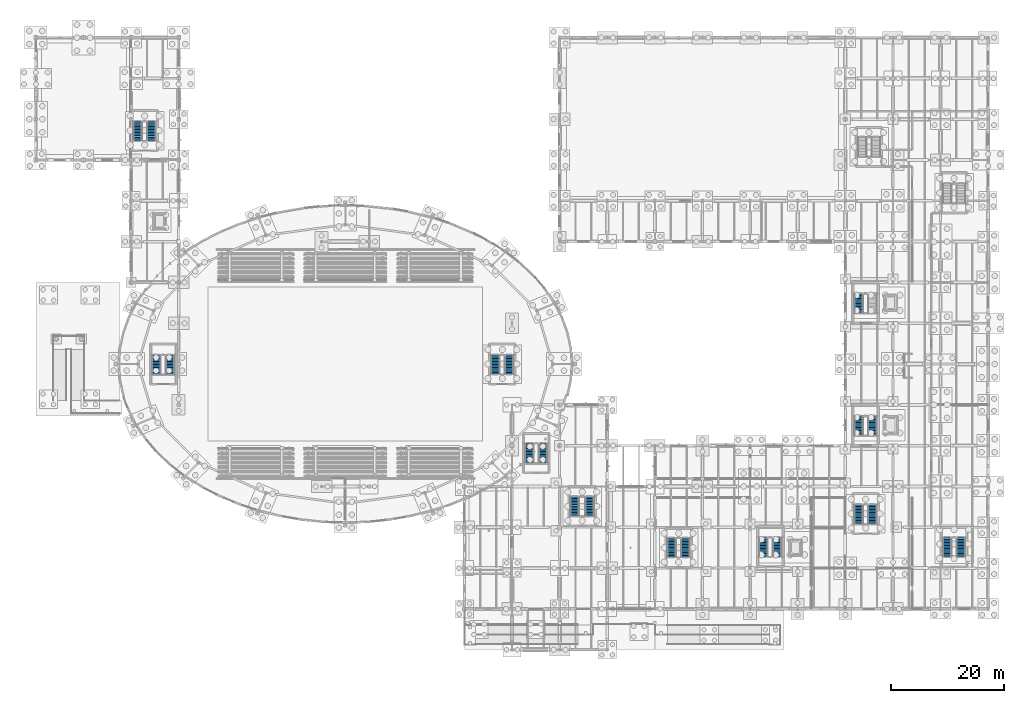
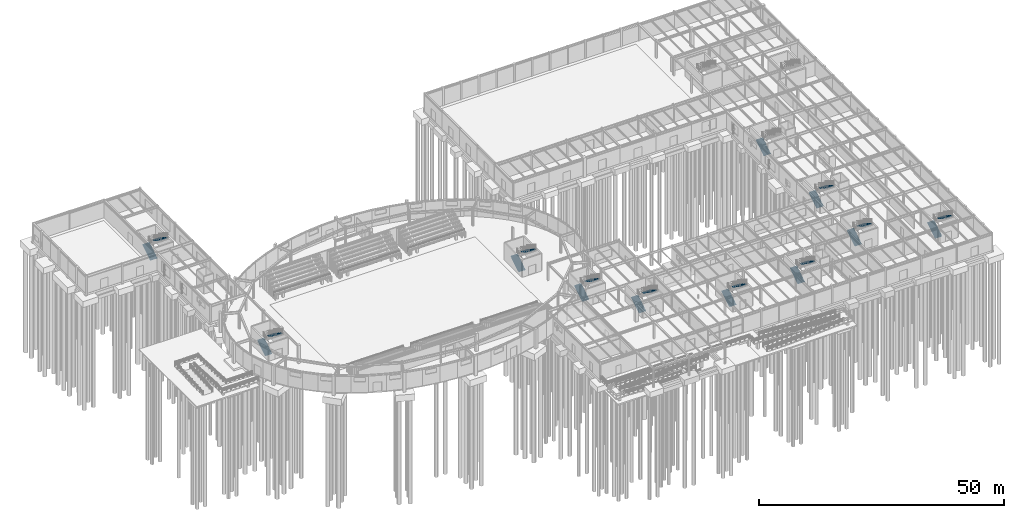
# One storey, part 66 of 93: 21 stair flights, 11 elements without a shape of their own.
"""IFC4 building model written with IfcOpenShell, lengths in metres."""

from ifc_helpers import new_model, si_unit, derived_unit, direction, frame, origin, place, context, subcontext, project, spatial, polyline, outline, extrude, material, type_object, element, aggregate, save


model = new_model("IFC4")

# Units and contexts
model_context = context("Model", 3, precision=1e-05, world=origin(), true_north=direction((0.0, 1.0)))
body_context = subcontext(model_context, "Body", "Model", "MODEL_VIEW")
ifc_project = project(units=[si_unit("LENGTHUNIT", "METRE"), si_unit("AREAUNIT", "SQUARE_METRE"), si_unit("VOLUMEUNIT", "CUBIC_METRE"), si_unit("PLANEANGLEUNIT", "RADIAN"), si_unit("MASSUNIT", "GRAM", prefix="KILO"), derived_unit("THERMALTRANSMITTANCEUNIT", [(si_unit("MASSUNIT", "GRAM", prefix="KILO"), 1), (si_unit("TIMEUNIT", "SECOND"), -3), (si_unit("THERMODYNAMICTEMPERATUREUNIT", "KELVIN"), -1)])], contexts=[model_context])

# Site, building, storey
site_placement = place(None, origin())
site = spatial("IfcSite", under=ifc_project, at=site_placement, CompositionType="ELEMENT")
building_placement = place(site_placement, origin())
building = spatial("IfcBuilding", under=site, at=building_placement, Name="Kharveza Railside Sports Centre", CompositionType="ELEMENT")
storey_placement = place(building_placement, origin())
storey = spatial("IfcBuildingStorey", under=building, at=storey_placement, Name="L00", CompositionType="ELEMENT", Elevation=0.0)

# Stair, stair flights
ifc_material_1 = material(Name="Concrete C35/45", Category="concrete")
stair_type_1 = type_object("IfcStairType", Name="ST-A45", PredefinedType="TWO_STRAIGHT_RUN_STAIR", material=ifc_material_1)
stair_1_placement = place(storey_placement, origin())
stair_1 = element("IfcStair", 1, at=stair_1_placement, inside=storey, type_object=stair_type_1, Name="STR-ST1-L00", PredefinedType="TWO_STRAIGHT_RUN_STAIR")
stair_flight_type_1 = type_object("IfcStairFlightType", Name="SF-A13", PredefinedType="STRAIGHT", material=ifc_material_1)
stair_flight_1_placement = place(storey_placement, frame((145.179931640625, 37.860107421875, 0.0), z_axis=(0.0, 0.0, 1.0), x_axis=(0.0, 1.0, 0.0)))
stair_flight_1 = element("IfcStairFlight", 2, at=stair_flight_1_placement, type_object=stair_flight_type_1, Name="STR-ST1-L00-FL1", NumberOfRisers=13, NumberOfTreads=12, PredefinedType="STRAIGHT", RiserHeight=0.173077, TreadLength=0.275, context=body_context, shape_type="SweptSolid", body=[
    extrude(outline(polyline([(0.0, 0.0), (0.0, 0.173095703125), (0.27490234375, 0.173095703125), (0.27490234375, 0.34619140625), (0.550048828125, 0.34619140625), (0.550048828125, 0.519287109375), (0.824951171875, 0.519287109375), (0.824951171875, 0.6923828125), (1.10009765625, 0.6923828125), (1.10009765625, 0.865478515625), (1.375, 0.865478515625), (1.375, 1.03857421875), (1.64990234375, 1.03857421875), (1.64990234375, 1.21142578125), (1.925048828125, 1.21142578125), (1.925048828125, 1.384521484375), (2.199951171875, 1.384521484375), (2.199951171875, 1.5576171875), (2.47509765625, 1.5576171875), (2.47509765625, 1.730712890625), (2.75, 1.730712890625), (2.75, 1.90380859375), (3.02490234375, 1.90380859375), (3.02490234375, 2.076904296875), (3.300048828125, 2.076904296875), (3.300048828125, 2.25), (3.300048828125, 1.887939453125), (0.30029296875, 0.0), (0.0, 0.0)])), frame((0.0, 0.800048828125, 0.0), z_axis=(0.0, -1.0, 0.0), x_axis=(1.0, 0.0, 0.0)), (0.0, 0.0, 1.0), 1.60009765625),
])
stair_flight_2_placement = place(storey_placement, frame((147.6201171875, 41.159912109375, 2.25), z_axis=(0.0, 0.0, 1.0), x_axis=(0.0, -1.0, 0.0)))
stair_flight_2 = element("IfcStairFlight", 3, at=stair_flight_2_placement, type_object=stair_flight_type_1, Name="STR-ST1-L00-FL2", NumberOfRisers=13, NumberOfTreads=12, PredefinedType="STRAIGHT", RiserHeight=0.173077, TreadLength=0.275, context=body_context, shape_type="SweptSolid", body=[
    extrude(outline(polyline([(0.0, 0.0), (0.0, 0.173095703125), (0.27490234375, 0.173095703125), (0.27490234375, 0.34619140625), (0.550048828125, 0.34619140625), (0.550048828125, 0.519287109375), (0.824951171875, 0.519287109375), (0.824951171875, 0.6923828125), (1.10009765625, 0.6923828125), (1.10009765625, 0.865478515625), (1.375, 0.865478515625), (1.375, 1.03857421875), (1.64990234375, 1.03857421875), (1.64990234375, 1.21142578125), (1.925048828125, 1.21142578125), (1.925048828125, 1.384521484375), (2.199951171875, 1.384521484375), (2.199951171875, 1.5576171875), (2.47509765625, 1.5576171875), (2.47509765625, 1.730712890625), (2.75, 1.730712890625), (2.75, 1.90380859375), (3.02490234375, 1.90380859375), (3.02490234375, 2.076904296875), (3.300048828125, 2.076904296875), (3.300048828125, 2.25), (3.300048828125, 1.887939453125), (0.30029296875, 0.0), (0.0, 0.0)])), frame((0.0, 0.800048828125, 0.0), z_axis=(0.0, -1.0, 0.0), x_axis=(1.0, 0.0, 0.0)), (0.0, 0.0, 1.0), 1.60009765625),
])
aggregate(stair_1, [stair_flight_1, stair_flight_2])

# Stair, stair flight
stair_2_placement = place(storey_placement, origin())
stair_2 = element("IfcStair", 4, at=stair_2_placement, inside=storey, type_object=stair_type_1, Name="STR-ST2-L00", PredefinedType="TWO_STRAIGHT_RUN_STAIR")
stair_flight_3_placement = place(storey_placement, frame((145.179931640625, 59.4599609375, 0.0), z_axis=(0.0, 0.0, 1.0), x_axis=(0.0, 1.0, 0.0)))
stair_flight_3 = element("IfcStairFlight", 5, at=stair_flight_3_placement, type_object=stair_flight_type_1, Name="STR-ST2-L00-FL1", NumberOfRisers=13, NumberOfTreads=12, PredefinedType="STRAIGHT", RiserHeight=0.173077, TreadLength=0.275, context=body_context, shape_type="SweptSolid", body=[
    extrude(outline(polyline([(0.0, 0.0), (0.0, 0.173095703125), (0.27490234375, 0.173095703125), (0.27490234375, 0.34619140625), (0.550048828125, 0.34619140625), (0.550048828125, 0.519287109375), (0.824951171875, 0.519287109375), (0.824951171875, 0.6923828125), (1.10009765625, 0.6923828125), (1.10009765625, 0.865478515625), (1.375, 0.865478515625), (1.375, 1.03857421875), (1.64990234375, 1.03857421875), (1.64990234375, 1.21142578125), (1.925048828125, 1.21142578125), (1.925048828125, 1.384521484375), (2.199951171875, 1.384521484375), (2.199951171875, 1.5576171875), (2.47509765625, 1.5576171875), (2.47509765625, 1.730712890625), (2.75, 1.730712890625), (2.75, 1.90380859375), (3.02490234375, 1.90380859375), (3.02490234375, 2.076904296875), (3.300048828125, 2.076904296875), (3.300048828125, 2.25), (3.300048828125, 1.887939453125), (0.30029296875, 0.0), (0.0, 0.0)])), frame((0.0, 0.800048828125, 0.0), z_axis=(0.0, -1.0, 0.0), x_axis=(1.0, 0.0, 0.0)), (0.0, 0.0, 1.0), 1.60009765625),
])
aggregate(stair_2, [stair_flight_3])

# Stair, stair flights
stair_3_placement = place(storey_placement, origin())
stair_3 = element("IfcStair", 6, at=stair_3_placement, inside=storey, type_object=stair_type_1, Name="STR-ST3-L00", PredefinedType="TWO_STRAIGHT_RUN_STAIR")
stair_flight_4_placement = place(storey_placement, frame((128.3798828125, 16.4599609375, 0.0), z_axis=(0.0, 0.0, 1.0), x_axis=(0.0, 1.0, 0.0)))
stair_flight_4 = element("IfcStairFlight", 7, at=stair_flight_4_placement, type_object=stair_flight_type_1, Name="STR-ST3-L00-FL1", NumberOfRisers=13, NumberOfTreads=12, PredefinedType="STRAIGHT", RiserHeight=0.173077, TreadLength=0.275, context=body_context, shape_type="SweptSolid", body=[
    extrude(outline(polyline([(0.0, 0.0), (0.0, 0.173095703125), (0.27490234375, 0.173095703125), (0.27490234375, 0.34619140625), (0.550048828125, 0.34619140625), (0.550048828125, 0.519287109375), (0.824951171875, 0.519287109375), (0.824951171875, 0.6923828125), (1.10009765625, 0.6923828125), (1.10009765625, 0.865478515625), (1.375, 0.865478515625), (1.375, 1.03857421875), (1.64990234375, 1.03857421875), (1.64990234375, 1.21142578125), (1.925048828125, 1.21142578125), (1.925048828125, 1.384521484375), (2.199951171875, 1.384521484375), (2.199951171875, 1.5576171875), (2.47509765625, 1.5576171875), (2.47509765625, 1.730712890625), (2.75, 1.730712890625), (2.75, 1.90380859375), (3.02490234375, 1.90380859375), (3.02490234375, 2.076904296875), (3.300048828125, 2.076904296875), (3.300048828125, 2.25), (3.300048828125, 1.887939453125), (0.30029296875, 0.0), (0.0, 0.0)])), frame((0.0, 0.800048828125, 0.0), z_axis=(0.0, -1.0, 0.0), x_axis=(1.0, 0.0, 0.0)), (0.0, 0.0, 1.0), 1.60009765625),
])
stair_flight_5_placement = place(storey_placement, frame((130.820068359375, 19.760009765625, 2.25), z_axis=(0.0, 0.0, 1.0), x_axis=(0.0, -1.0, 0.0)))
stair_flight_5 = element("IfcStairFlight", 8, at=stair_flight_5_placement, type_object=stair_flight_type_1, Name="STR-ST3-L00-FL2", NumberOfRisers=13, NumberOfTreads=12, PredefinedType="STRAIGHT", RiserHeight=0.173077, TreadLength=0.275, context=body_context, shape_type="SweptSolid", body=[
    extrude(outline(polyline([(0.0, 0.0), (0.0, 0.173095703125), (0.27490234375, 0.173095703125), (0.27490234375, 0.34619140625), (0.550048828125, 0.34619140625), (0.550048828125, 0.519287109375), (0.824951171875, 0.519287109375), (0.824951171875, 0.6923828125), (1.10009765625, 0.6923828125), (1.10009765625, 0.865478515625), (1.375, 0.865478515625), (1.375, 1.03857421875), (1.64990234375, 1.03857421875), (1.64990234375, 1.21142578125), (1.925048828125, 1.21142578125), (1.925048828125, 1.384521484375), (2.199951171875, 1.384521484375), (2.199951171875, 1.5576171875), (2.47509765625, 1.5576171875), (2.47509765625, 1.730712890625), (2.75, 1.730712890625), (2.75, 1.90380859375), (3.02490234375, 1.90380859375), (3.02490234375, 2.076904296875), (3.300048828125, 2.076904296875), (3.300048828125, 2.25), (3.300048828125, 1.887939453125), (0.30029296875, 0.0), (0.0, 0.0)])), frame((0.0, 0.800048828125, 0.0), z_axis=(0.0, -1.0, 0.0), x_axis=(1.0, 0.0, 0.0)), (0.0, 0.0, 1.0), 1.60009765625),
])
aggregate(stair_3, [stair_flight_4, stair_flight_5])

stair_4_placement = place(storey_placement, origin())
stair_4 = element("IfcStair", 9, at=stair_4_placement, inside=storey, type_object=stair_type_1, Name="STR-ST5-L00", PredefinedType="TWO_STRAIGHT_RUN_STAIR")
stair_flight_6_placement = place(storey_placement, frame((145.179931640625, 22.260009765625, 0.0), z_axis=(0.0, 0.0, 1.0), x_axis=(0.0, 1.0, 0.0)))
stair_flight_6 = element("IfcStairFlight", 10, at=stair_flight_6_placement, type_object=stair_flight_type_1, Name="STR-ST5-L00-FL1", NumberOfRisers=13, NumberOfTreads=12, PredefinedType="STRAIGHT", RiserHeight=0.173077, TreadLength=0.275, context=body_context, shape_type="SweptSolid", body=[
    extrude(outline(polyline([(0.0, 0.0), (0.0, 0.173095703125), (0.27490234375, 0.173095703125), (0.27490234375, 0.34619140625), (0.550048828125, 0.34619140625), (0.550048828125, 0.519287109375), (0.824951171875, 0.519287109375), (0.824951171875, 0.6923828125), (1.10009765625, 0.6923828125), (1.10009765625, 0.865478515625), (1.375, 0.865478515625), (1.375, 1.03857421875), (1.64990234375, 1.03857421875), (1.64990234375, 1.21142578125), (1.925048828125, 1.21142578125), (1.925048828125, 1.384521484375), (2.199951171875, 1.384521484375), (2.199951171875, 1.5576171875), (2.47509765625, 1.5576171875), (2.47509765625, 1.730712890625), (2.75, 1.730712890625), (2.75, 1.90380859375), (3.02490234375, 1.90380859375), (3.02490234375, 2.076904296875), (3.300048828125, 2.076904296875), (3.300048828125, 2.25), (3.300048828125, 1.887939453125), (0.30029296875, 0.0), (0.0, 0.0)])), frame((0.0, 0.800048828125, 0.0), z_axis=(0.0, -1.0, 0.0), x_axis=(1.0, 0.0, 0.0)), (0.0, 0.0, 1.0), 1.60009765625),
])
stair_flight_7_placement = place(storey_placement, frame((147.6201171875, 25.56005859375, 2.25), z_axis=(0.0, 0.0, 1.0), x_axis=(0.0, -1.0, 0.0)))
stair_flight_7 = element("IfcStairFlight", 11, at=stair_flight_7_placement, type_object=stair_flight_type_1, Name="STR-ST5-L00-FL2", NumberOfRisers=13, NumberOfTreads=12, PredefinedType="STRAIGHT", RiserHeight=0.173077, TreadLength=0.275, context=body_context, shape_type="SweptSolid", body=[
    extrude(outline(polyline([(0.0, 0.0), (0.0, 0.173095703125), (0.27490234375, 0.173095703125), (0.27490234375, 0.34619140625), (0.550048828125, 0.34619140625), (0.550048828125, 0.519287109375), (0.824951171875, 0.519287109375), (0.824951171875, 0.6923828125), (1.10009765625, 0.6923828125), (1.10009765625, 0.865478515625), (1.375, 0.865478515625), (1.375, 1.03857421875), (1.64990234375, 1.03857421875), (1.64990234375, 1.21142578125), (1.925048828125, 1.21142578125), (1.925048828125, 1.384521484375), (2.199951171875, 1.384521484375), (2.199951171875, 1.5576171875), (2.47509765625, 1.5576171875), (2.47509765625, 1.730712890625), (2.75, 1.730712890625), (2.75, 1.90380859375), (3.02490234375, 1.90380859375), (3.02490234375, 2.076904296875), (3.300048828125, 2.076904296875), (3.300048828125, 2.25), (3.300048828125, 1.887939453125), (0.30029296875, 0.0), (0.0, 0.0)])), frame((0.0, 0.800048828125, 0.0), z_axis=(0.0, -1.0, 0.0), x_axis=(1.0, 0.0, 0.0)), (0.0, 0.0, 1.0), 1.60009765625),
])
aggregate(stair_4, [stair_flight_6, stair_flight_7])

stair_5_placement = place(storey_placement, origin())
stair_5 = element("IfcStair", 12, at=stair_5_placement, inside=storey, type_object=stair_type_1, Name="STR-ST6-L00", PredefinedType="TWO_STRAIGHT_RUN_STAIR")
stair_flight_8_placement = place(storey_placement, frame((17.97998046875, 89.860107421875, 0.0), z_axis=(0.0, 0.0, 1.0), x_axis=(0.0, 1.0, 0.0)))
stair_flight_8 = element("IfcStairFlight", 13, at=stair_flight_8_placement, type_object=stair_flight_type_1, Name="STR-ST6-L00-FL1", NumberOfRisers=13, NumberOfTreads=12, PredefinedType="STRAIGHT", RiserHeight=0.173077, TreadLength=0.275, context=body_context, shape_type="SweptSolid", body=[
    extrude(outline(polyline([(0.0, 0.0), (0.0, 0.173095703125), (0.27490234375, 0.173095703125), (0.27490234375, 0.34619140625), (0.550048828125, 0.34619140625), (0.550048828125, 0.519287109375), (0.824951171875, 0.519287109375), (0.824951171875, 0.6923828125), (1.10009765625, 0.6923828125), (1.10009765625, 0.865478515625), (1.375, 0.865478515625), (1.375, 1.03857421875), (1.64990234375, 1.03857421875), (1.64990234375, 1.21142578125), (1.925048828125, 1.21142578125), (1.925048828125, 1.384521484375), (2.199951171875, 1.384521484375), (2.199951171875, 1.5576171875), (2.47509765625, 1.5576171875), (2.47509765625, 1.730712890625), (2.75, 1.730712890625), (2.75, 1.90380859375), (3.02490234375, 1.90380859375), (3.02490234375, 2.076904296875), (3.300048828125, 2.076904296875), (3.300048828125, 2.25), (3.300048828125, 1.887939453125), (0.30029296875, 0.0), (0.0, 0.0)])), frame((0.0, 0.800048828125, 0.0), z_axis=(0.0, -1.0, 0.0), x_axis=(1.0, 0.0, 0.0)), (0.0, 0.0, 1.0), 1.60009765625),
])
stair_flight_9_placement = place(storey_placement, frame((20.419921875, 93.159912109375, 2.25), z_axis=(0.0, 0.0, 1.0), x_axis=(0.0, -1.0, 0.0)))
stair_flight_9 = element("IfcStairFlight", 14, at=stair_flight_9_placement, type_object=stair_flight_type_1, Name="STR-ST6-L00-FL2", NumberOfRisers=13, NumberOfTreads=12, PredefinedType="STRAIGHT", RiserHeight=0.173077, TreadLength=0.275, context=body_context, shape_type="SweptSolid", body=[
    extrude(outline(polyline([(0.0, 0.0), (0.0, 0.173095703125), (0.27490234375, 0.173095703125), (0.27490234375, 0.34619140625), (0.550048828125, 0.34619140625), (0.550048828125, 0.519287109375), (0.824951171875, 0.519287109375), (0.824951171875, 0.6923828125), (1.10009765625, 0.6923828125), (1.10009765625, 0.865478515625), (1.375, 0.865478515625), (1.375, 1.03857421875), (1.64990234375, 1.03857421875), (1.64990234375, 1.21142578125), (1.925048828125, 1.21142578125), (1.925048828125, 1.384521484375), (2.199951171875, 1.384521484375), (2.199951171875, 1.5576171875), (2.47509765625, 1.5576171875), (2.47509765625, 1.730712890625), (2.75, 1.730712890625), (2.75, 1.90380859375), (3.02490234375, 1.90380859375), (3.02490234375, 2.076904296875), (3.300048828125, 2.076904296875), (3.300048828125, 2.25), (3.300048828125, 1.887939453125), (0.30029296875, 0.0), (0.0, 0.0)])), frame((0.0, 0.800048828125, 0.0), z_axis=(0.0, -1.0, 0.0), x_axis=(1.0, 0.0, 0.0)), (0.0, 0.0, 1.0), 1.60009765625),
])
aggregate(stair_5, [stair_flight_8, stair_flight_9])

stair_6_placement = place(storey_placement, origin())
stair_6 = element("IfcStair", 15, at=stair_6_placement, inside=storey, type_object=stair_type_1, Name="STR-ST7-L00", PredefinedType="TWO_STRAIGHT_RUN_STAIR")
stair_flight_10_placement = place(storey_placement, frame((21.280029296875, 48.659912109375, 0.0), z_axis=(0.0, 0.0, 1.0), x_axis=(0.0, 1.0, 0.0)))
stair_flight_10 = element("IfcStairFlight", 16, at=stair_flight_10_placement, type_object=stair_flight_type_1, Name="STR-ST7-L00-FL1", NumberOfRisers=13, NumberOfTreads=12, PredefinedType="STRAIGHT", RiserHeight=0.173077, TreadLength=0.275, context=body_context, shape_type="SweptSolid", body=[
    extrude(outline(polyline([(0.0, 0.0), (0.0, 0.173095703125), (0.27490234375, 0.173095703125), (0.27490234375, 0.34619140625), (0.550048828125, 0.34619140625), (0.550048828125, 0.519287109375), (0.824951171875, 0.519287109375), (0.824951171875, 0.6923828125), (1.10009765625, 0.6923828125), (1.10009765625, 0.865478515625), (1.375, 0.865478515625), (1.375, 1.03857421875), (1.64990234375, 1.03857421875), (1.64990234375, 1.21142578125), (1.925048828125, 1.21142578125), (1.925048828125, 1.384521484375), (2.199951171875, 1.384521484375), (2.199951171875, 1.5576171875), (2.47509765625, 1.5576171875), (2.47509765625, 1.730712890625), (2.75, 1.730712890625), (2.75, 1.90380859375), (3.02490234375, 1.90380859375), (3.02490234375, 2.076904296875), (3.300048828125, 2.076904296875), (3.300048828125, 2.25), (3.300048828125, 1.887939453125), (0.30029296875, 0.0), (0.0, 0.0)])), frame((0.0, 0.800048828125, 0.0), z_axis=(0.0, -1.0, 0.0), x_axis=(1.0, 0.0, 0.0)), (0.0, 0.0, 1.0), 1.60009765625),
])
stair_flight_11_placement = place(storey_placement, frame((23.719970703125, 51.9599609375, 2.25), z_axis=(0.0, 0.0, 1.0), x_axis=(0.0, -1.0, 0.0)))
stair_flight_11 = element("IfcStairFlight", 17, at=stair_flight_11_placement, type_object=stair_flight_type_1, Name="STR-ST7-L00-FL2", NumberOfRisers=13, NumberOfTreads=12, PredefinedType="STRAIGHT", RiserHeight=0.173077, TreadLength=0.275, context=body_context, shape_type="SweptSolid", body=[
    extrude(outline(polyline([(0.0, 0.0), (0.0, 0.173095703125), (0.27490234375, 0.173095703125), (0.27490234375, 0.34619140625), (0.550048828125, 0.34619140625), (0.550048828125, 0.519287109375), (0.824951171875, 0.519287109375), (0.824951171875, 0.6923828125), (1.10009765625, 0.6923828125), (1.10009765625, 0.865478515625), (1.375, 0.865478515625), (1.375, 1.03857421875), (1.64990234375, 1.03857421875), (1.64990234375, 1.21142578125), (1.925048828125, 1.21142578125), (1.925048828125, 1.384521484375), (2.199951171875, 1.384521484375), (2.199951171875, 1.5576171875), (2.47509765625, 1.5576171875), (2.47509765625, 1.730712890625), (2.75, 1.730712890625), (2.75, 1.90380859375), (3.02490234375, 1.90380859375), (3.02490234375, 2.076904296875), (3.300048828125, 2.076904296875), (3.300048828125, 2.25), (3.300048828125, 1.887939453125), (0.30029296875, 0.0), (0.0, 0.0)])), frame((0.0, 0.800048828125, 0.0), z_axis=(0.0, -1.0, 0.0), x_axis=(1.0, 0.0, 0.0)), (0.0, 0.0, 1.0), 1.60009765625),
])
aggregate(stair_6, [stair_flight_10, stair_flight_11])

stair_7_placement = place(storey_placement, origin())
stair_7 = element("IfcStair", 18, at=stair_7_placement, inside=storey, type_object=stair_type_1, Name="STR-ST8-L00", PredefinedType="TWO_STRAIGHT_RUN_STAIR")
stair_flight_12_placement = place(storey_placement, frame((81.080078125, 48.659912109375, 0.0), z_axis=(0.0, 0.0, 1.0), x_axis=(0.0, 1.0, 0.0)))
stair_flight_12 = element("IfcStairFlight", 19, at=stair_flight_12_placement, type_object=stair_flight_type_1, Name="STR-ST8-L00-FL1", NumberOfRisers=13, NumberOfTreads=12, PredefinedType="STRAIGHT", RiserHeight=0.173077, TreadLength=0.275, context=body_context, shape_type="SweptSolid", body=[
    extrude(outline(polyline([(0.0, 0.0), (0.0, 0.173095703125), (0.27490234375, 0.173095703125), (0.27490234375, 0.34619140625), (0.550048828125, 0.34619140625), (0.550048828125, 0.519287109375), (0.824951171875, 0.519287109375), (0.824951171875, 0.6923828125), (1.10009765625, 0.6923828125), (1.10009765625, 0.865478515625), (1.375, 0.865478515625), (1.375, 1.03857421875), (1.64990234375, 1.03857421875), (1.64990234375, 1.21142578125), (1.925048828125, 1.21142578125), (1.925048828125, 1.384521484375), (2.199951171875, 1.384521484375), (2.199951171875, 1.5576171875), (2.47509765625, 1.5576171875), (2.47509765625, 1.730712890625), (2.75, 1.730712890625), (2.75, 1.90380859375), (3.02490234375, 1.90380859375), (3.02490234375, 2.076904296875), (3.300048828125, 2.076904296875), (3.300048828125, 2.25), (3.300048828125, 1.887939453125), (0.30029296875, 0.0), (0.0, 0.0)])), frame((0.0, 0.800048828125, 0.0), z_axis=(0.0, -1.0, 0.0), x_axis=(1.0, 0.0, 0.0)), (0.0, 0.0, 1.0), 1.60009765625),
])
stair_flight_13_placement = place(storey_placement, frame((83.52001953125, 51.9599609375, 2.25), z_axis=(0.0, 0.0, 1.0), x_axis=(0.0, -1.0, 0.0)))
stair_flight_13 = element("IfcStairFlight", 20, at=stair_flight_13_placement, type_object=stair_flight_type_1, Name="STR-ST8-L00-FL2", NumberOfRisers=13, NumberOfTreads=12, PredefinedType="STRAIGHT", RiserHeight=0.173077, TreadLength=0.275, context=body_context, shape_type="SweptSolid", body=[
    extrude(outline(polyline([(0.0, 0.0), (0.0, 0.173095703125), (0.27490234375, 0.173095703125), (0.27490234375, 0.34619140625), (0.550048828125, 0.34619140625), (0.550048828125, 0.519287109375), (0.824951171875, 0.519287109375), (0.824951171875, 0.6923828125), (1.10009765625, 0.6923828125), (1.10009765625, 0.865478515625), (1.375, 0.865478515625), (1.375, 1.03857421875), (1.64990234375, 1.03857421875), (1.64990234375, 1.21142578125), (1.925048828125, 1.21142578125), (1.925048828125, 1.384521484375), (2.199951171875, 1.384521484375), (2.199951171875, 1.5576171875), (2.47509765625, 1.5576171875), (2.47509765625, 1.730712890625), (2.75, 1.730712890625), (2.75, 1.90380859375), (3.02490234375, 1.90380859375), (3.02490234375, 2.076904296875), (3.300048828125, 2.076904296875), (3.300048828125, 2.25), (3.300048828125, 1.887939453125), (0.30029296875, 0.0), (0.0, 0.0)])), frame((0.0, 0.800048828125, 0.0), z_axis=(0.0, -1.0, 0.0), x_axis=(1.0, 0.0, 0.0)), (0.0, 0.0, 1.0), 1.60009765625),
])
aggregate(stair_7, [stair_flight_12, stair_flight_13])

stair_8_placement = place(storey_placement, origin())
stair_8 = element("IfcStair", 21, at=stair_8_placement, inside=storey, type_object=stair_type_1, Name="STR-ST9-L00", PredefinedType="TWO_STRAIGHT_RUN_STAIR")
stair_flight_14_placement = place(storey_placement, frame((87.080078125, 33.06005859375, 0.0), z_axis=(0.0, 0.0, 1.0), x_axis=(0.0, 1.0, 0.0)))
stair_flight_14 = element("IfcStairFlight", 22, at=stair_flight_14_placement, type_object=stair_flight_type_1, Name="STR-ST9-L00-FL1", NumberOfRisers=13, NumberOfTreads=12, PredefinedType="STRAIGHT", RiserHeight=0.173077, TreadLength=0.275, context=body_context, shape_type="SweptSolid", body=[
    extrude(outline(polyline([(0.0, 0.0), (0.0, 0.173095703125), (0.27490234375, 0.173095703125), (0.27490234375, 0.34619140625), (0.550048828125, 0.34619140625), (0.550048828125, 0.519287109375), (0.824951171875, 0.519287109375), (0.824951171875, 0.6923828125), (1.10009765625, 0.6923828125), (1.10009765625, 0.865478515625), (1.375, 0.865478515625), (1.375, 1.03857421875), (1.64990234375, 1.03857421875), (1.64990234375, 1.21142578125), (1.925048828125, 1.21142578125), (1.925048828125, 1.384521484375), (2.199951171875, 1.384521484375), (2.199951171875, 1.5576171875), (2.47509765625, 1.5576171875), (2.47509765625, 1.730712890625), (2.75, 1.730712890625), (2.75, 1.90380859375), (3.02490234375, 1.90380859375), (3.02490234375, 2.076904296875), (3.300048828125, 2.076904296875), (3.300048828125, 2.25), (3.300048828125, 1.887939453125), (0.30029296875, 0.0), (0.0, 0.0)])), frame((0.0, 0.800048828125, 0.0), z_axis=(0.0, -1.0, 0.0), x_axis=(1.0, 0.0, 0.0)), (0.0, 0.0, 1.0), 1.60009765625),
])
stair_flight_15_placement = place(storey_placement, frame((89.52001953125, 36.360107421875, 2.25), z_axis=(0.0, 0.0, 1.0), x_axis=(0.0, -1.0, 0.0)))
stair_flight_15 = element("IfcStairFlight", 23, at=stair_flight_15_placement, type_object=stair_flight_type_1, Name="STR-ST9-L00-FL2", NumberOfRisers=13, NumberOfTreads=12, PredefinedType="STRAIGHT", RiserHeight=0.173077, TreadLength=0.275, context=body_context, shape_type="SweptSolid", body=[
    extrude(outline(polyline([(0.0, 0.0), (0.0, 0.173095703125), (0.27490234375, 0.173095703125), (0.27490234375, 0.34619140625), (0.550048828125, 0.34619140625), (0.550048828125, 0.519287109375), (0.824951171875, 0.519287109375), (0.824951171875, 0.6923828125), (1.10009765625, 0.6923828125), (1.10009765625, 0.865478515625), (1.375, 0.865478515625), (1.375, 1.03857421875), (1.64990234375, 1.03857421875), (1.64990234375, 1.21142578125), (1.925048828125, 1.21142578125), (1.925048828125, 1.384521484375), (2.199951171875, 1.384521484375), (2.199951171875, 1.5576171875), (2.47509765625, 1.5576171875), (2.47509765625, 1.730712890625), (2.75, 1.730712890625), (2.75, 1.90380859375), (3.02490234375, 1.90380859375), (3.02490234375, 2.076904296875), (3.300048828125, 2.076904296875), (3.300048828125, 2.25), (3.300048828125, 1.887939453125), (0.30029296875, 0.0), (0.0, 0.0)])), frame((0.0, 0.800048828125, 0.0), z_axis=(0.0, -1.0, 0.0), x_axis=(1.0, 0.0, 0.0)), (0.0, 0.0, 1.0), 1.60009765625),
])
aggregate(stair_8, [stair_flight_14, stair_flight_15])

stair_9_placement = place(storey_placement, origin())
stair_9 = element("IfcStair", 24, at=stair_9_placement, inside=storey, type_object=stair_type_1, Name="STR-ST11-L00", PredefinedType="TWO_STRAIGHT_RUN_STAIR")
stair_flight_16_placement = place(storey_placement, frame((160.780029296875, 16.4599609375, 0.0), z_axis=(0.0, 0.0, 1.0), x_axis=(0.0, 1.0, 0.0)))
stair_flight_16 = element("IfcStairFlight", 25, at=stair_flight_16_placement, type_object=stair_flight_type_1, Name="STR-ST11-L00-FL1", NumberOfRisers=13, NumberOfTreads=12, PredefinedType="STRAIGHT", RiserHeight=0.173077, TreadLength=0.275, context=body_context, shape_type="SweptSolid", body=[
    extrude(outline(polyline([(0.0, 0.0), (0.0, 0.173095703125), (0.27490234375, 0.173095703125), (0.27490234375, 0.34619140625), (0.550048828125, 0.34619140625), (0.550048828125, 0.519287109375), (0.824951171875, 0.519287109375), (0.824951171875, 0.6923828125), (1.10009765625, 0.6923828125), (1.10009765625, 0.865478515625), (1.375, 0.865478515625), (1.375, 1.03857421875), (1.64990234375, 1.03857421875), (1.64990234375, 1.21142578125), (1.925048828125, 1.21142578125), (1.925048828125, 1.384521484375), (2.199951171875, 1.384521484375), (2.199951171875, 1.5576171875), (2.47509765625, 1.5576171875), (2.47509765625, 1.730712890625), (2.75, 1.730712890625), (2.75, 1.90380859375), (3.02490234375, 1.90380859375), (3.02490234375, 2.076904296875), (3.300048828125, 2.076904296875), (3.300048828125, 2.25), (3.300048828125, 1.887939453125), (0.30029296875, 0.0), (0.0, 0.0)])), frame((0.0, 0.800048828125, 0.0), z_axis=(0.0, -1.0, 0.0), x_axis=(1.0, 0.0, 0.0)), (0.0, 0.0, 1.0), 1.60009765625),
])
stair_flight_17_placement = place(storey_placement, frame((163.219970703125, 19.760009765625, 2.25), z_axis=(0.0, 0.0, 1.0), x_axis=(0.0, -1.0, 0.0)))
stair_flight_17 = element("IfcStairFlight", 26, at=stair_flight_17_placement, type_object=stair_flight_type_1, Name="STR-ST11-L00-FL2", NumberOfRisers=13, NumberOfTreads=12, PredefinedType="STRAIGHT", RiserHeight=0.173077, TreadLength=0.275, context=body_context, shape_type="SweptSolid", body=[
    extrude(outline(polyline([(0.0, 0.0), (0.0, 0.173095703125), (0.27490234375, 0.173095703125), (0.27490234375, 0.34619140625), (0.550048828125, 0.34619140625), (0.550048828125, 0.519287109375), (0.824951171875, 0.519287109375), (0.824951171875, 0.6923828125), (1.10009765625, 0.6923828125), (1.10009765625, 0.865478515625), (1.375, 0.865478515625), (1.375, 1.03857421875), (1.64990234375, 1.03857421875), (1.64990234375, 1.21142578125), (1.925048828125, 1.21142578125), (1.925048828125, 1.384521484375), (2.199951171875, 1.384521484375), (2.199951171875, 1.5576171875), (2.47509765625, 1.5576171875), (2.47509765625, 1.730712890625), (2.75, 1.730712890625), (2.75, 1.90380859375), (3.02490234375, 1.90380859375), (3.02490234375, 2.076904296875), (3.300048828125, 2.076904296875), (3.300048828125, 2.25), (3.300048828125, 1.887939453125), (0.30029296875, 0.0), (0.0, 0.0)])), frame((0.0, 0.800048828125, 0.0), z_axis=(0.0, -1.0, 0.0), x_axis=(1.0, 0.0, 0.0)), (0.0, 0.0, 1.0), 1.60009765625),
])
aggregate(stair_9, [stair_flight_16, stair_flight_17])

stair_10_placement = place(storey_placement, origin())
stair_10 = element("IfcStair", 27, at=stair_10_placement, inside=storey, type_object=stair_type_1, Name="STR-ST12-L00", PredefinedType="TWO_STRAIGHT_RUN_STAIR")
stair_flight_18_placement = place(storey_placement, frame((112.179931640625, 16.360107421875, 0.0), z_axis=(0.0, 0.0, 1.0), x_axis=(0.0, 1.0, 0.0)))
stair_flight_18 = element("IfcStairFlight", 28, at=stair_flight_18_placement, type_object=stair_flight_type_1, Name="STR-ST12-L00-FL1", NumberOfRisers=13, NumberOfTreads=12, PredefinedType="STRAIGHT", RiserHeight=0.173077, TreadLength=0.275, context=body_context, shape_type="SweptSolid", body=[
    extrude(outline(polyline([(0.0, 0.0), (0.0, 0.173095703125), (0.27490234375, 0.173095703125), (0.27490234375, 0.34619140625), (0.550048828125, 0.34619140625), (0.550048828125, 0.519287109375), (0.824951171875, 0.519287109375), (0.824951171875, 0.6923828125), (1.10009765625, 0.6923828125), (1.10009765625, 0.865478515625), (1.375, 0.865478515625), (1.375, 1.03857421875), (1.64990234375, 1.03857421875), (1.64990234375, 1.21142578125), (1.925048828125, 1.21142578125), (1.925048828125, 1.384521484375), (2.199951171875, 1.384521484375), (2.199951171875, 1.5576171875), (2.47509765625, 1.5576171875), (2.47509765625, 1.730712890625), (2.75, 1.730712890625), (2.75, 1.90380859375), (3.02490234375, 1.90380859375), (3.02490234375, 2.076904296875), (3.300048828125, 2.076904296875), (3.300048828125, 2.25), (3.300048828125, 1.887939453125), (0.30029296875, 0.0), (0.0, 0.0)])), frame((0.0, 0.800048828125, 0.0), z_axis=(0.0, -1.0, 0.0), x_axis=(1.0, 0.0, 0.0)), (0.0, 0.0, 1.0), 1.60009765625),
])
stair_flight_19_placement = place(storey_placement, frame((114.6201171875, 19.659912109375, 2.25), z_axis=(0.0, 0.0, 1.0), x_axis=(0.0, -1.0, 0.0)))
stair_flight_19 = element("IfcStairFlight", 29, at=stair_flight_19_placement, type_object=stair_flight_type_1, Name="STR-ST12-L00-FL2", NumberOfRisers=13, NumberOfTreads=12, PredefinedType="STRAIGHT", RiserHeight=0.173077, TreadLength=0.275, context=body_context, shape_type="SweptSolid", body=[
    extrude(outline(polyline([(0.0, 0.0), (0.0, 0.173095703125), (0.27490234375, 0.173095703125), (0.27490234375, 0.34619140625), (0.550048828125, 0.34619140625), (0.550048828125, 0.519287109375), (0.824951171875, 0.519287109375), (0.824951171875, 0.6923828125), (1.10009765625, 0.6923828125), (1.10009765625, 0.865478515625), (1.375, 0.865478515625), (1.375, 1.03857421875), (1.64990234375, 1.03857421875), (1.64990234375, 1.21142578125), (1.925048828125, 1.21142578125), (1.925048828125, 1.384521484375), (2.199951171875, 1.384521484375), (2.199951171875, 1.5576171875), (2.47509765625, 1.5576171875), (2.47509765625, 1.730712890625), (2.75, 1.730712890625), (2.75, 1.90380859375), (3.02490234375, 1.90380859375), (3.02490234375, 2.076904296875), (3.300048828125, 2.076904296875), (3.300048828125, 2.25), (3.300048828125, 1.887939453125), (0.30029296875, 0.0), (0.0, 0.0)])), frame((0.0, 0.800048828125, 0.0), z_axis=(0.0, -1.0, 0.0), x_axis=(1.0, 0.0, 0.0)), (0.0, 0.0, 1.0), 1.60009765625),
])
aggregate(stair_10, [stair_flight_18, stair_flight_19])

ifc_material_2 = material(Name="Steel S355J2", Category="steel")
stair_type_2 = type_object("IfcStairType", Name="ST-C45", PredefinedType="TWO_STRAIGHT_RUN_STAIR", material=ifc_material_2)
stair_11_placement = place(storey_placement, origin())
stair_11 = element("IfcStair", 30, at=stair_11_placement, inside=storey, type_object=stair_type_2, Name="STR-ST10-L00", PredefinedType="TWO_STRAIGHT_RUN_STAIR")
stair_flight_type_2 = type_object("IfcStairFlightType", Name="SF-C13", PredefinedType="STRAIGHT", material=ifc_material_2)
stair_flight_20_placement = place(storey_placement, frame((95.080078125, 23.659912109375, 0.0), z_axis=(0.0, 0.0, 1.0), x_axis=(0.0, 1.0, 0.0)))
stair_flight_20 = element("IfcStairFlight", 31, at=stair_flight_20_placement, type_object=stair_flight_type_2, Name="STR-ST10-L00-FL1", NumberOfRisers=13, NumberOfTreads=12, PredefinedType="STRAIGHT", RiserHeight=0.173077, TreadLength=0.275, context=body_context, shape_type="SweptSolid", body=[
    extrude(outline(polyline([(0.0, 0.0), (0.0, 0.173095703125), (0.27490234375, 0.173095703125), (0.27490234375, 0.34619140625), (0.550048828125, 0.34619140625), (0.550048828125, 0.519287109375), (0.824951171875, 0.519287109375), (0.824951171875, 0.6923828125), (1.10009765625, 0.6923828125), (1.10009765625, 0.865478515625), (1.375, 0.865478515625), (1.375, 1.03857421875), (1.64990234375, 1.03857421875), (1.64990234375, 1.21142578125), (1.925048828125, 1.21142578125), (1.925048828125, 1.384521484375), (2.199951171875, 1.384521484375), (2.199951171875, 1.5576171875), (2.47509765625, 1.5576171875), (2.47509765625, 1.730712890625), (2.75, 1.730712890625), (2.75, 1.90380859375), (3.02490234375, 1.90380859375), (3.02490234375, 2.076904296875), (3.300048828125, 2.076904296875), (3.300048828125, 2.25), (3.300048828125, 1.887939453125), (0.30029296875, 0.0), (0.0, 0.0)])), frame((0.0, 0.800048828125, 0.0), z_axis=(0.0, -1.0, 0.0), x_axis=(1.0, 0.0, 0.0)), (0.0, 0.0, 1.0), 1.60009765625),
])
stair_flight_21_placement = place(storey_placement, frame((97.719970703125, 26.9599609375, 2.25), z_axis=(0.0, 0.0, 1.0), x_axis=(0.0, -1.0, 0.0)))
stair_flight_21 = element("IfcStairFlight", 32, at=stair_flight_21_placement, type_object=stair_flight_type_2, Name="STR-ST10-L00-FL2", NumberOfRisers=13, NumberOfTreads=12, PredefinedType="STRAIGHT", RiserHeight=0.173077, TreadLength=0.275, context=body_context, shape_type="SweptSolid", body=[
    extrude(outline(polyline([(0.0, 0.0), (0.0, 0.173095703125), (0.27490234375, 0.173095703125), (0.27490234375, 0.34619140625), (0.550048828125, 0.34619140625), (0.550048828125, 0.519287109375), (0.824951171875, 0.519287109375), (0.824951171875, 0.6923828125), (1.10009765625, 0.6923828125), (1.10009765625, 0.865478515625), (1.375, 0.865478515625), (1.375, 1.03857421875), (1.64990234375, 1.03857421875), (1.64990234375, 1.21142578125), (1.925048828125, 1.21142578125), (1.925048828125, 1.384521484375), (2.199951171875, 1.384521484375), (2.199951171875, 1.5576171875), (2.47509765625, 1.5576171875), (2.47509765625, 1.730712890625), (2.75, 1.730712890625), (2.75, 1.90380859375), (3.02490234375, 1.90380859375), (3.02490234375, 2.076904296875), (3.300048828125, 2.076904296875), (3.300048828125, 2.25), (3.300048828125, 1.887939453125), (0.30029296875, 0.0), (0.0, 0.0)])), frame((0.0, 0.800048828125, 0.0), z_axis=(0.0, -1.0, 0.0), x_axis=(1.0, 0.0, 0.0)), (0.0, 0.0, 1.0), 1.60009765625),
])
aggregate(stair_11, [stair_flight_20, stair_flight_21])

save(model, "model.ifc")
